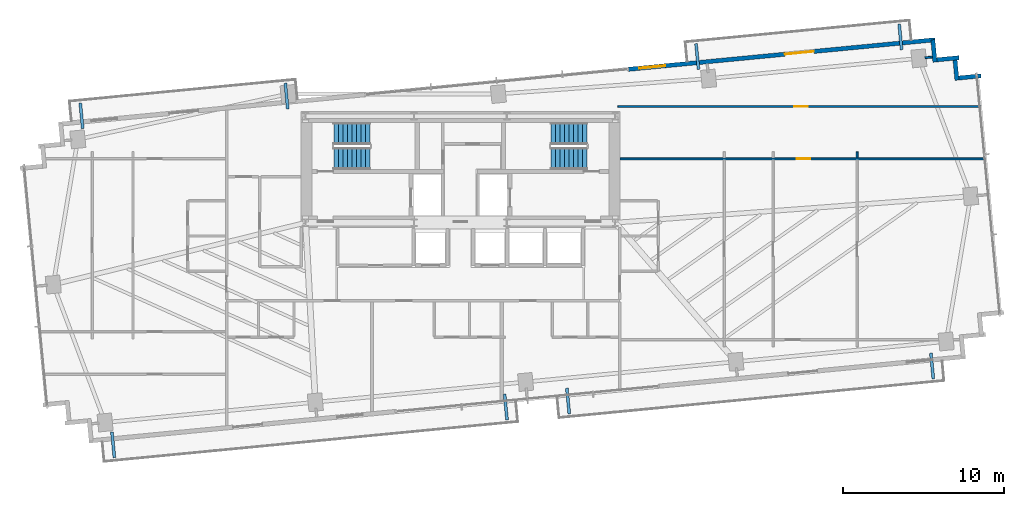
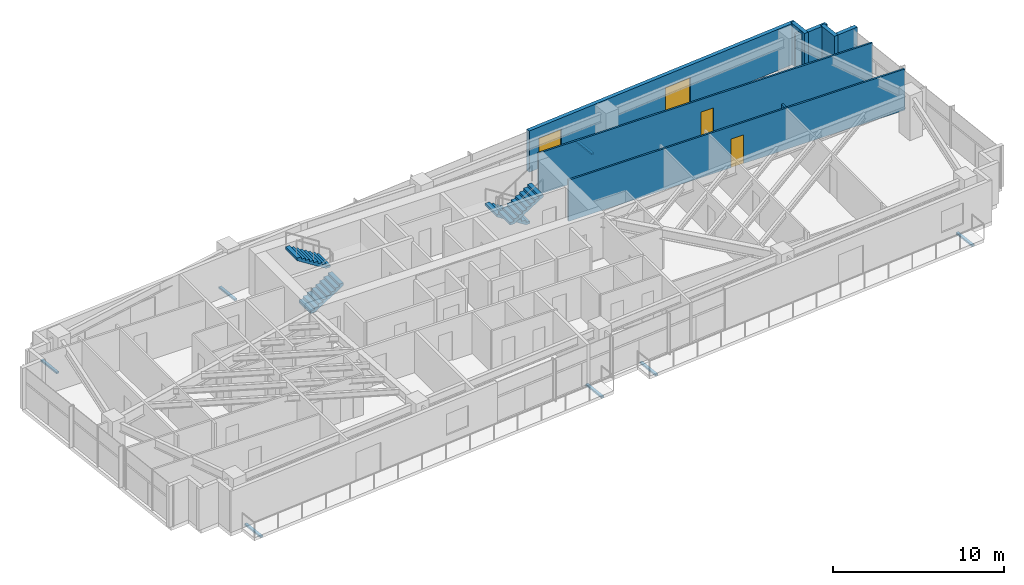
# One storey, part 22 of 25: 9 walls, 8 discrete accessories, 4 stair flights, 3 doors, 1 window, 4 openings, 2 elements without a shape of their own.
"""IFC4 building model written with IfcOpenShell, lengths in metres."""

from ifc_helpers import new_model, si_unit, direction, frame, frame_2d, origin, origin_2d, place, context, subcontext, project, spatial, polyline, rectangle, outline, extrude, source, transform, mapped, material, layer, layer_set, type_object, type_shapes, element, fill, aggregate, save


model = new_model("IFC4")

# Units and contexts
model_context = context("Model", 3, precision=1e-05, world=origin(), true_north=direction((0.0, 1.0)))
body_context = subcontext(model_context, "Body", "Model", "MODEL_VIEW")
ifc_project = project(units=[si_unit("LENGTHUNIT", "METRE"), si_unit("AREAUNIT", "SQUARE_METRE"), si_unit("VOLUMEUNIT", "CUBIC_METRE"), si_unit("PLANEANGLEUNIT", "RADIAN"), si_unit("MASSUNIT", "GRAM", prefix="KILO")], contexts=[model_context])

# Site, building, storey
site_placement = place(None, origin())
site = spatial("IfcSite", under=ifc_project, at=site_placement, CompositionType="ELEMENT")
building_placement = place(site_placement, origin())
building = spatial("IfcBuilding", under=site, at=building_placement, Name="Astriad Promenade Condominiums", CompositionType="ELEMENT")
storey_placement = place(building_placement, frame((0.0, 0.0, 103.39990234375)))
storey = spatial("IfcBuildingStorey", under=building, at=storey_placement, Name="L29", CompositionType="ELEMENT", Elevation=103.39990234375)

# Wall, openings, door, window
ifc_material_1 = material(Name="Precast concrete C50/60", Category="concrete")
ifc_layer_1 = layer(ifc_material_1, 0.260009765625)
ifc_layer_set_1 = layer_set([ifc_layer_1], Name="Precast concrete C50/60")
wall_type_1 = type_object("IfcWallType", Name="WALL-EXT-TWR-260", PredefinedType="STANDARD", material=ifc_layer_set_1)
wall_1_placement = place(storey_placement, frame((46.40625, 26.90966796875, 0.0), z_axis=(0.0, 0.0, 1.0), x_axis=(0.995396638587, 0.095841180552, 0.0)))
wall_1 = element("IfcWall", 1, at=wall_1_placement, inside=storey, type_object=wall_type_1, Name="W-EXT-L29-N2", PredefinedType="STANDARD", context=body_context, shape_type="SweptSolid", body=[
    extrude(rectangle(XDim=19.110107421875, YDim=0.260009765625, at=frame_2d((9.55517578125, 0.0))), origin(), (0.0, 0.0, 1.0), 2.940185546875),
])
opening_1_placement = place(wall_1_placement, frame((9.77001953125, 0.0, 0.0)))
opening_1 = element("IfcOpeningElement", 2, at=opening_1_placement, cuts=wall_1, Name="Opening BD-1822-SLD", PredefinedType="OPENING", context=body_context, shape_type="SweptSolid", body=[
    extrude(rectangle(XDim=1.800048828125, YDim=2.06005859375, at=frame_2d((0.89990234375, 1.030029296875))), frame((0.0, 0.139892578125, 0.0), z_axis=(0.0, -1.0, 0.0), x_axis=(1.0, 0.0, 0.0)), (0.0, 0.0, 1.0), 0.280029296875),
])
opening_2_placement = place(wall_1_placement, frame((0.699951171875, 0.0, 0.64990234375)))
opening_2 = element("IfcOpeningElement", 3, at=opening_2_placement, cuts=wall_1, Name="Opening WIN-TWR-1620", PredefinedType="OPENING", context=body_context, shape_type="SweptSolid", body=[
    extrude(rectangle(XDim=1.60009765625, YDim=1.5, at=frame_2d((0.800048828125, 0.75))), frame((0.0, 0.139892578125, 0.0), z_axis=(0.0, -1.0, 0.0), x_axis=(1.0, 0.0, 0.0)), (0.0, 0.0, 1.0), 0.280029296875),
])
ifc_material_2 = material(Name="Thermally Broken Aluminium Sliding Balcony Door", Category="aluminium")
door_type_1 = type_object("IfcDoorType", Name="BD-1822-SLD", OperationType="NOTDEFINED", PredefinedType="DOOR", material=ifc_material_2)
shared_shape_1 = source(origin(), body_context, "Body", "SweptSolid", [
    extrude(rectangle(XDim=1.800048828125, YDim=2.06005859375, at=frame_2d((0.89990234375, 1.030029296875))), frame((0.0, 0.02490234375, 0.0), z_axis=(0.0, -1.0, 0.0), x_axis=(1.0, 0.0, 0.0)), (0.0, 0.0, 1.0), 0.050048828125),
])
type_shapes(door_type_1, [shared_shape_1])
door_1_placement = place(opening_1_placement, origin())
door_1 = element("IfcDoor", 4, at=door_1_placement, inside=storey, type_object=door_type_1, Name="BD-L29-NE", OperationType="SLIDING_TO_RIGHT", OverallHeight=2.06005859375, OverallWidth=1.800048828125, PredefinedType="DOOR", context=body_context, shape_type="MappedRepresentation", body=[
    mapped(shared_shape_1, transform((0.0, 0.0, 0.0), scale=1.0)),
])
fill(opening_1, door_1)
ifc_material_3 = material(Name="Dark Tinted Triple-Glazed Aluminium Window", Category="aluminium")
window_type = type_object("IfcWindowType", Name="WIN-TWR-1620", PartitioningType="SINGLE_PANEL", PredefinedType="WINDOW", material=ifc_material_3)
shared_shape_2 = source(origin(), body_context, "Body", "SweptSolid", [
    extrude(rectangle(XDim=1.60009765625, YDim=1.5, at=frame_2d((0.800048828125, 0.75))), frame((0.0, 0.030029296875, 0.0), z_axis=(0.0, -1.0, 0.0), x_axis=(1.0, 0.0, 0.0)), (0.0, 0.0, 1.0), 0.06005859375),
])
type_shapes(window_type, [shared_shape_2])
window_placement = place(opening_2_placement, origin())
window = element("IfcWindow", 5, at=window_placement, inside=storey, type_object=window_type, Name="WIN-L29-NE", OverallHeight=1.5, OverallWidth=1.60009765625, PartitioningType="SINGLE_PANEL", PredefinedType="WINDOW", context=body_context, shape_type="MappedRepresentation", body=[
    mapped(shared_shape_2, transform((0.0, 0.0, 0.0), scale=1.0)),
])
fill(opening_2, window)

# Walls
for number, where, z_axis, x_axis, name in (
    (6, (65.297607421875, 28.74365234375, 0.0), (0.0, 0.0, 1.0), (0.095725744959, -0.99540774648, 0.0), "W-SER-L29-09"),
    (7, (65.533203125, 27.49560546875, 0.0), (0.0, 0.0, 1.0), (0.99540774648, 0.095725744959, 0.0), "W-SER-L29-10"),
):
    element("IfcWall", number, at=place(storey_placement, frame(where, z_axis=z_axis, x_axis=x_axis)), inside=storey, type_object=wall_type_1, Name=name, PredefinedType="STANDARD", context=body_context, shape_type="SweptSolid", body=[
        extrude(rectangle(XDim=1.39501953125, YDim=0.260009765625, at=frame_2d((0.697509765625, 0.0))), origin(), (0.0, 0.0, 1.0), 2.940185546875),
    ])
wall_2_placement = place(storey_placement, frame((66.66162109375, 27.619140625, 0.0), z_axis=(0.0, 0.0, 1.0), x_axis=(0.095742423056, -0.99540614245, 0.0)))
element("IfcWall", 8, at=wall_2_placement, inside=storey, type_object=wall_type_1, Name="W-SER-L29-11", PredefinedType="STANDARD", context=body_context, shape_type="SweptSolid", body=[
    extrude(rectangle(XDim=1.394775390625, YDim=0.260009765625, at=frame_2d((0.697265625, 0.0))), origin(), (0.0, 0.0, 1.0), 2.940185546875),
])
wall_3_placement = place(storey_placement, frame((66.897216796875, 26.37109375, 0.0), z_axis=(0.0, 0.0, 1.0), x_axis=(0.995391056452, 0.09589913835, 0.0)))
element("IfcWall", 9, at=wall_3_placement, inside=storey, type_object=wall_type_1, Name="W-SER-L29-12", PredefinedType="STANDARD", context=body_context, shape_type="SweptSolid", body=[
    extrude(rectangle(XDim=1.39501953125, YDim=0.260009765625, at=frame_2d((0.697509765625, 0.0))), origin(), (0.0, 0.0, 1.0), 2.940185546875),
])

# Wall, opening, door
ifc_material_4 = material(Name="Acoustic Metal-Stud Gypsum Partition")
ifc_layer_2 = layer(ifc_material_4, 0.1201171875)
ifc_layer_set_2 = layer_set([ifc_layer_2], Name="Acoustic Metal-Stud Gypsum Partition")
wall_type_2 = type_object("IfcWallType", Name="WALL-PART-120", PredefinedType="PARTITIONING", material=ifc_layer_set_2)
wall_4_placement = place(storey_placement, frame((45.760009765625, 24.60498046875, 0.0), z_axis=(0.0, 0.0, 1.0), x_axis=(1.0, 0.0, 0.0)))
wall_4 = element("IfcWall", 10, at=wall_4_placement, inside=storey, type_object=wall_type_2, Name="PT-L29-E1-WDN1", PredefinedType="PARTITIONING", context=body_context, shape_type="SweptSolid", body=[
    extrude(rectangle(XDim=22.497802734375, YDim=0.1201171875, at=frame_2d((11.2490234375, 0.0))), origin(), (0.0, 0.0, 1.0), 2.940185546875),
])
opening_3_placement = place(wall_4_placement, frame((10.930908203125, 0.0, 0.0)))
opening_3 = element("IfcOpeningElement", 11, at=opening_3_placement, cuts=wall_4, Name="Opening D-INT-085", PredefinedType="OPENING", context=body_context, shape_type="SweptSolid", body=[
    extrude(rectangle(XDim=0.85009765625, YDim=2.050048828125, at=frame_2d((0.425048828125, 1.02490234375))), frame((0.0, 0.070068359375, 0.0), z_axis=(0.0, -1.0, 0.0), x_axis=(1.0, 0.0, 0.0)), (0.0, 0.0, 1.0), 0.14013671875),
])
ifc_material_5 = material(Name="Painted Solid-Core Timber Room Door", Category="wood")
door_type_2 = type_object("IfcDoorType", Name="D-INT-085", OperationType="NOTDEFINED", PredefinedType="DOOR", material=ifc_material_5)
shared_shape_3 = source(origin(), body_context, "Body", "SweptSolid", [
    extrude(rectangle(XDim=0.85009765625, YDim=2.050048828125, at=frame_2d((0.425048828125, 1.02490234375))), frame((0.0, 0.02490234375, 0.0), z_axis=(0.0, -1.0, 0.0), x_axis=(1.0, 0.0, 0.0)), (0.0, 0.0, 1.0), 0.050048828125),
])
type_shapes(door_type_2, [shared_shape_3])
door_2_placement = place(opening_3_placement, origin())
door_2 = element("IfcDoor", 12, at=door_2_placement, inside=storey, type_object=door_type_2, Name="D-WDN1-L29-E1", OperationType="SINGLE_SWING_RIGHT", OverallHeight=2.050048828125, OverallWidth=0.85009765625, PredefinedType="DOOR", context=body_context, shape_type="MappedRepresentation", body=[
    mapped(shared_shape_3, transform((0.0, 0.0, 0.0), scale=1.0)),
])
fill(opening_3, door_2)

wall_5_placement = place(storey_placement, frame((45.902099609375, 21.35791015625, 0.0), z_axis=(0.0, 0.0, 1.0), x_axis=(1.0, 0.0, 0.0)))
wall_5 = element("IfcWall", 13, at=wall_5_placement, inside=storey, type_object=wall_type_2, Name="PT-L29-E1-WDN2", PredefinedType="PARTITIONING", context=body_context, shape_type="SweptSolid", body=[
    extrude(rectangle(XDim=22.668212890625, YDim=0.1201171875, at=frame_2d((11.333984375, 0.0))), origin(), (0.0, 0.0, 1.0), 2.940185546875),
])
opening_4_placement = place(wall_5_placement, frame((10.945068359375, 0.0, 0.0)))
opening_4 = element("IfcOpeningElement", 14, at=opening_4_placement, cuts=wall_5, Name="Opening D-INT-085", PredefinedType="OPENING", context=body_context, shape_type="SweptSolid", body=[
    extrude(rectangle(XDim=0.85009765625, YDim=2.050048828125, at=frame_2d((0.425048828125, 1.02490234375))), frame((0.0, 0.070068359375, 0.0), z_axis=(0.0, -1.0, 0.0), x_axis=(1.0, 0.0, 0.0)), (0.0, 0.0, 1.0), 0.14013671875),
])
door_3_placement = place(opening_4_placement, origin())
door_3 = element("IfcDoor", 15, at=door_3_placement, inside=storey, type_object=door_type_2, Name="D-WDN2-L29-E1", OperationType="SINGLE_SWING_LEFT", OverallHeight=2.050048828125, OverallWidth=0.85009765625, PredefinedType="DOOR", context=body_context, shape_type="MappedRepresentation", body=[
    mapped(shared_shape_3, transform((0.0, 0.0, 0.0), scale=1.0)),
])
fill(opening_4, door_3)

# Walls
wall_6_placement = place(storey_placement, frame((60.596923828125, 21.419921875, 0.0), z_axis=(0.0, 0.0, 1.0), x_axis=(0.0, 1.0, 0.0)))
element("IfcWall", 16, at=wall_6_placement, inside=storey, type_object=wall_type_2, Name="PT-L29-E1-WDV4-S3", PredefinedType="PARTITIONING", context=body_context, shape_type="SweptSolid", body=[
    extrude(rectangle(XDim=0.378173828125, YDim=0.1201171875, at=frame_2d((0.18896484375, 0.0))), origin(), (0.0, 0.0, 1.0), 2.940185546875),
])
wall_7_placement = place(storey_placement, frame((64.812255859375, 27.626953125, 0.0), z_axis=(0.0, 0.0, 1.0), x_axis=(0.995389482415, 0.095915474751, 0.0)))
element("IfcWall", 17, at=wall_7_placement, inside=storey, type_object=wall_type_2, Name="PT-PIL-L29-PC10-17", PredefinedType="PARTITIONING", context=body_context, shape_type="SweptSolid", body=[
    extrude(rectangle(XDim=0.458251953125, YDim=0.1201171875, at=frame_2d((0.22900390625, 0.0))), origin(), (0.0, 0.0, 1.0), 2.940185546875),
])

# Stair, stair flights
ifc_material_6 = material(Name="Concrete C50/60", Category="concrete")
stair_type = type_object("IfcStairType", Name="STR-CORE-1350", PredefinedType="HALF_TURN_STAIR", material=ifc_material_6)
stair_1_placement = place(storey_placement, origin())
stair_1 = element("IfcStair", 18, at=stair_1_placement, inside=storey, type_object=stair_type, Name="L29 Enclosed Core Exit Stair ST-1", PredefinedType="HALF_TURN_STAIR")
stair_flight_type = type_object("IfcStairFlightType", Name="SFL-CORE-1350", PredefinedType="STRAIGHT", material=ifc_material_6)
shared_shape_4 = source(origin(), body_context, "Body", "SweptSolid", [
    extrude(outline(polyline([(0.0, 0.0), (0.0, 0.177734375), (0.280029296875, 0.177734375), (0.280029296875, 0.35546875), (0.56005859375, 0.35546875), (0.56005859375, 0.533447265625), (0.840087890625, 0.533447265625), (0.840087890625, 0.711181640625), (1.1201171875, 0.711181640625), (1.1201171875, 0.888916015625), (1.39990234375, 0.888916015625), (1.39990234375, 1.066650390625), (1.679931640625, 1.066650390625), (1.679931640625, 1.244384765625), (1.9599609375, 1.244384765625), (1.9599609375, 1.422119140625), (2.239990234375, 1.422119140625), (2.239990234375, 1.60009765625), (2.239990234375, 1.24462890625), (0.27978515625, 0.0), (0.0, 0.0)])), frame((0.0, 0.675048828125, 0.0), z_axis=(0.0, -1.0, 0.0), x_axis=(1.0, 0.0, 0.0)), (0.0, 0.0, 1.0), 1.35009765625),
])
type_shapes(stair_flight_type, [shared_shape_4])
stair_flight_1_placement = place(storey_placement, frame((28.14990234375, 21.375, 0.0), z_axis=(0.0, 0.0, 1.0), x_axis=(1.0, 0.0, 0.0)))
stair_flight_1 = element("IfcStairFlight", 19, at=stair_flight_1_placement, type_object=stair_flight_type, Name="ST-1 flight 1", NumberOfRisers=9, NumberOfTreads=8, PredefinedType="STRAIGHT", RiserHeight=0.177777778, TreadLength=0.28, context=body_context, shape_type="MappedRepresentation", body=[
    mapped(shared_shape_4, transform((0.0, 0.0, 0.0), scale=1.0)),
])
stair_flight_2_placement = place(storey_placement, frame((30.389892578125, 22.925048828125, 1.60009765625), z_axis=(0.0, 0.0, 1.0), x_axis=(-1.0, 0.0, 0.0)))
stair_flight_2 = element("IfcStairFlight", 20, at=stair_flight_2_placement, type_object=stair_flight_type, Name="ST-1 flight 2", NumberOfRisers=9, NumberOfTreads=8, PredefinedType="STRAIGHT", RiserHeight=0.177777778, TreadLength=0.28, context=body_context, shape_type="MappedRepresentation", body=[
    mapped(shared_shape_4, transform((0.0, 0.0, 0.0), scale=1.0)),
])
aggregate(stair_1, [stair_flight_1, stair_flight_2])

stair_2_placement = place(storey_placement, origin())
stair_2 = element("IfcStair", 21, at=stair_2_placement, inside=storey, type_object=stair_type, Name="L29 Enclosed Core Exit Stair ST-2", PredefinedType="HALF_TURN_STAIR")
stair_flight_3_placement = place(storey_placement, frame((43.85009765625, 22.925048828125, 0.0), z_axis=(0.0, 0.0, 1.0), x_axis=(-1.0, 0.0, 0.0)))
stair_flight_3 = element("IfcStairFlight", 22, at=stair_flight_3_placement, type_object=stair_flight_type, Name="ST-2 flight 1", NumberOfRisers=9, NumberOfTreads=8, PredefinedType="STRAIGHT", RiserHeight=0.177777778, TreadLength=0.28, context=body_context, shape_type="MappedRepresentation", body=[
    mapped(shared_shape_4, transform((0.0, 0.0, 0.0), scale=1.0)),
])
stair_flight_4_placement = place(storey_placement, frame((41.610107421875, 21.375, 1.60009765625), z_axis=(0.0, 0.0, 1.0), x_axis=(1.0, 0.0, 0.0)))
stair_flight_4 = element("IfcStairFlight", 23, at=stair_flight_4_placement, type_object=stair_flight_type, Name="ST-2 flight 2", NumberOfRisers=9, NumberOfTreads=8, PredefinedType="STRAIGHT", RiserHeight=0.177777778, TreadLength=0.28, context=body_context, shape_type="MappedRepresentation", body=[
    mapped(shared_shape_4, transform((0.0, 0.0, 0.0), scale=1.0)),
])
aggregate(stair_2, [stair_flight_3, stair_flight_4])

# Discrete accessories
ifc_material_7 = material(Name="Steel ASTM A572 Grade 50", Category="steel")
discrete_accessory_type = type_object("IfcDiscreteAccessoryType", Name="STEEL BALCONY OUTRIGGER BRACKET", PredefinedType="BRACKET", material=ifc_material_7)
shared_shape_5 = source(origin(), body_context, "Body", "SweptSolid", [
    extrude(rectangle(XDim=1.60009765625, YDim=0.179931640625, at=origin_2d()), origin(), (0.0, 0.0, 1.0), 0.1220703125),
])
type_shapes(discrete_accessory_type, [shared_shape_5])
for number, where, z_axis, x_axis, name in (
    (24, (14.46728515625, 3.62109375, -0.33984375), (0.0, 0.0, 1.0), (0.09584575252, -0.995396198367, 0.0), "Balcony Outrigger Bracket BAL-L29-SW-A"),
    (25, (38.816650390625, 5.9658203125, -0.33984375), (0.0, 0.0, 1.0), (0.09584575252, -0.995396198367, 0.0), "Balcony Outrigger Bracket BAL-L29-SW-B"),
    (26, (42.677001953125, 6.33740234375, -0.33984375), (0.0, 0.0, 1.0), (0.09584575252, -0.995396198367, 0.0), "Balcony Outrigger Bracket BAL-L29-SE-A"),
    (27, (65.25244140625, 8.51123046875, -0.33984375), (0.0, 0.0, 1.0), (0.09584575252, -0.995396198367, 0.0), "Balcony Outrigger Bracket BAL-L29-SE-B"),
    (28, (12.50244140625, 24.026611328125, -0.33984375), (0.0, 0.0, 1.0), (-0.09584575252, 0.995396198367, 0.0), "Balcony Outrigger Bracket BAL-L29-NW-A"),
    (29, (25.2177734375, 25.251220703125, -0.33984375), (0.0, 0.0, 1.0), (-0.09584575252, 0.995396198367, 0.0), "Balcony Outrigger Bracket BAL-L29-NW-B"),
    (30, (50.68994140625, 27.703857421875, -0.33984375), (0.0, 0.0, 1.0), (-0.09584575252, 0.995396198367, 0.0), "Balcony Outrigger Bracket BAL-L29-NE-A"),
    (31, (63.28759765625, 28.916748046875, -0.33984375), (0.0, 0.0, 1.0), (-0.09584575252, 0.995396198367, 0.0), "Balcony Outrigger Bracket BAL-L29-NE-B"),
):
    element("IfcDiscreteAccessory", number, at=place(storey_placement, frame(where, z_axis=z_axis, x_axis=x_axis)), inside=storey, type_object=discrete_accessory_type, Name=name, PredefinedType="BRACKET", context=body_context, shape_type="MappedRepresentation", body=[
        mapped(shared_shape_5, transform((0.0, 0.0, 0.0), scale=1.0)),
    ])

save(model, "model.ifc")
